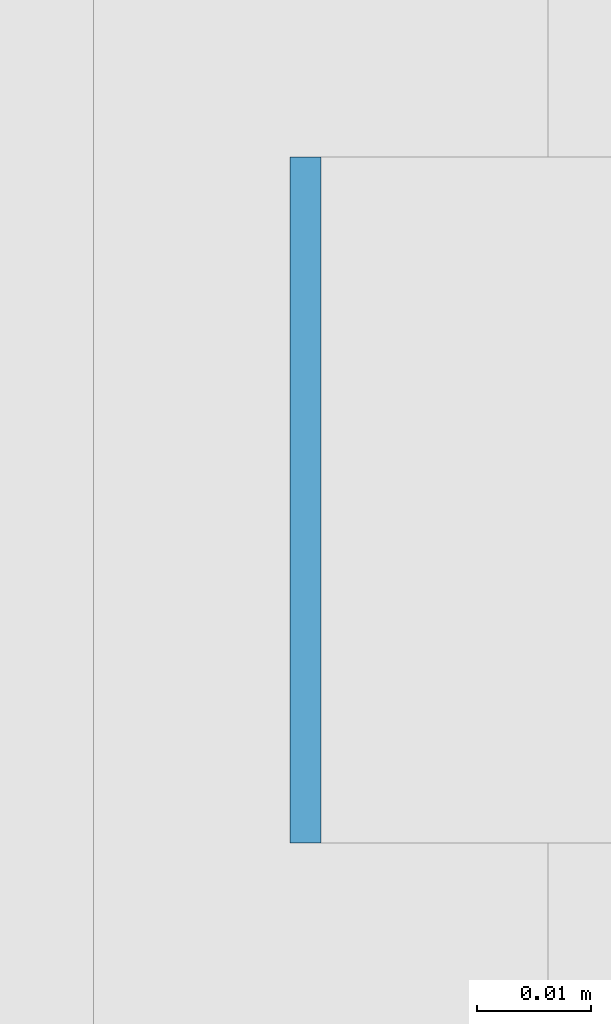
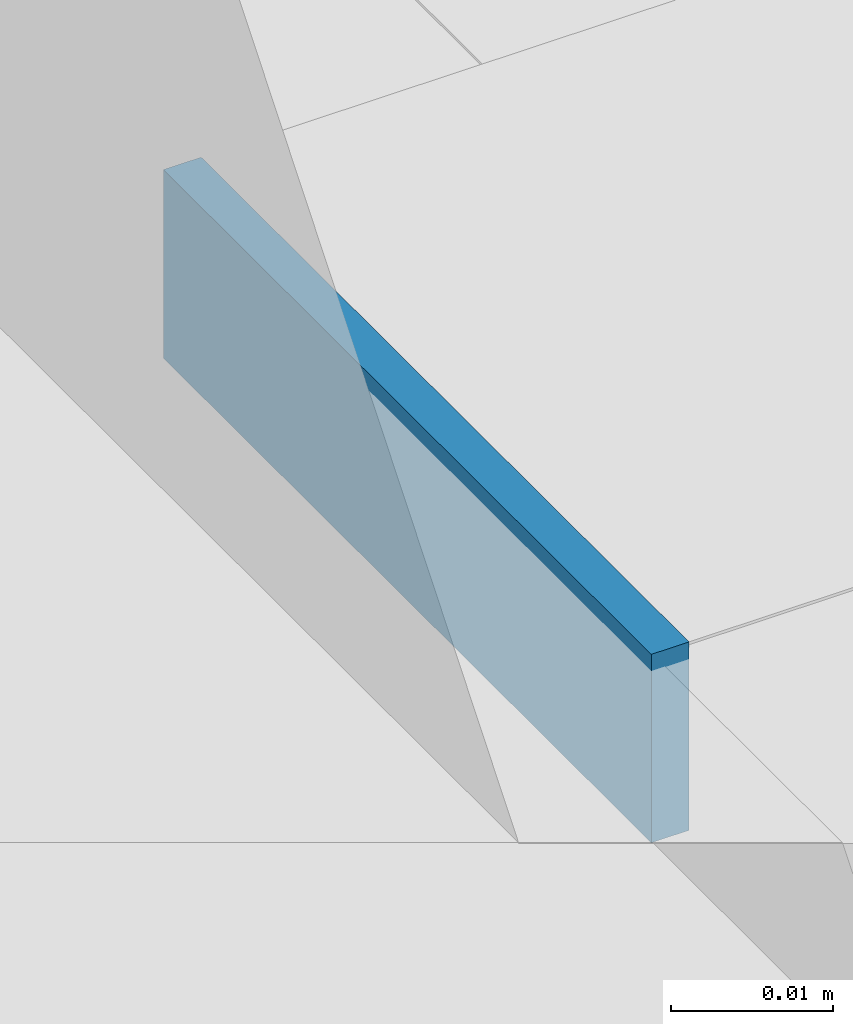
# One storey, part 545 of 646: 1 discrete accessory.
"""IFC4 building model written with IfcOpenShell, lengths in metres."""

from ifc_helpers import new_model, si_unit, direction, frame, origin, origin_2d, place, context, subcontext, project, spatial, rectangle, extrude, material, type_object, element, save


model = new_model("IFC4")

# Units and contexts
model_context = context("Model", 3, precision=1e-05, world=origin(), true_north=direction((0.0, 1.0)))
body_context = subcontext(model_context, "Body", "Model", "MODEL_VIEW")
ifc_project = project(units=[si_unit("LENGTHUNIT", "METRE"), si_unit("AREAUNIT", "SQUARE_METRE"), si_unit("VOLUMEUNIT", "CUBIC_METRE"), si_unit("PLANEANGLEUNIT", "RADIAN"), si_unit("MASSUNIT", "GRAM", prefix="KILO")], contexts=[model_context])

# Site, building, storey
site_placement = place(None, origin())
site = spatial("IfcSite", under=ifc_project, at=site_placement, CompositionType="ELEMENT")
building_placement = place(site_placement, origin())
building = spatial("IfcBuilding", under=site, at=building_placement, Name="Silverbay Arena", CompositionType="ELEMENT")
storey_placement = place(building_placement, frame((0.0, 0.0, 33.5)))
storey = spatial("IfcBuildingStorey", under=building, at=storey_placement, Name="L05", CompositionType="ELEMENT", Elevation=33.5)

# Discrete accessory
ifc_material = material(Name="Steel S355", Category="steel")
discrete_accessory_type = type_object("IfcDiscreteAccessoryType", Name="Steel bracket plate", PredefinedType="BRACKET", material=ifc_material)
discrete_accessory_placement = place(storey_placement, frame((207.128662109375, 92.571533203125, 12.98583984375), z_axis=(0.0, 0.0, 1.0), x_axis=(1.0, 0.0, 0.0)))
element("IfcDiscreteAccessory", 1, at=discrete_accessory_placement, inside=storey, type_object=discrete_accessory_type, Name="Curtain wall packing plate", PredefinedType="BRACKET", context=body_context, shape_type="SweptSolid", body=[
    extrude(rectangle(XDim=0.002685546875, YDim=0.06005859375, at=origin_2d()), origin(), (0.0, 0.0, 1.0), 0.01416015625),
])

save(model, "model.ifc")
